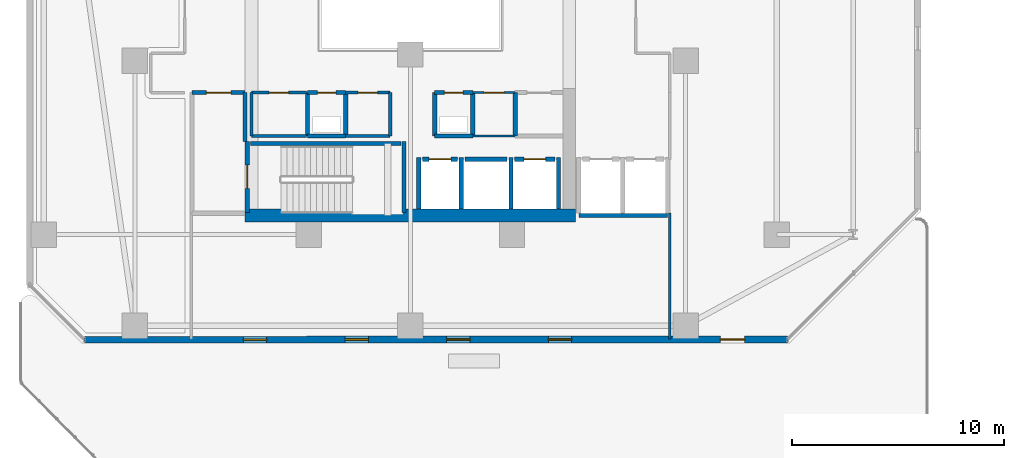
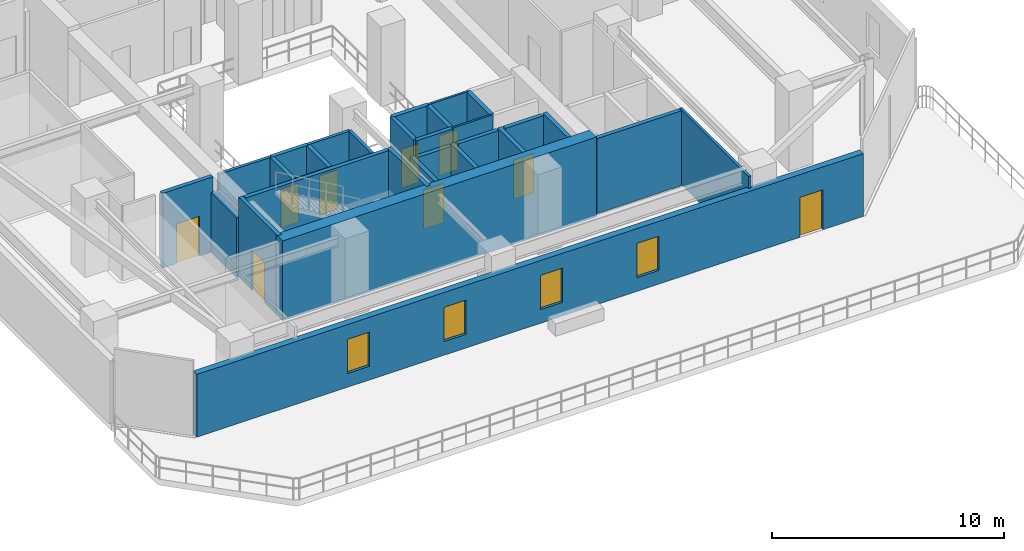
# One storey, part 16 of 30: 33 walls, 10 doors, 4 windows, 14 openings.
"""IFC4 building model written with IfcOpenShell, lengths in metres."""

from ifc_helpers import new_model, si_unit, direction, frame, frame_2d, origin, place, context, subcontext, project, spatial, rectangle, extrude, material, layer, layer_set, type_object, element, fill, save


model = new_model("IFC4")

# Units and contexts
model_context = context("Model", 3, precision=1e-05, world=origin(), true_north=direction((0.0, 1.0)))
body_context = subcontext(model_context, "Body", "Model", "MODEL_VIEW")
ifc_project = project(units=[si_unit("LENGTHUNIT", "METRE"), si_unit("AREAUNIT", "SQUARE_METRE"), si_unit("VOLUMEUNIT", "CUBIC_METRE"), si_unit("PLANEANGLEUNIT", "RADIAN"), si_unit("MASSUNIT", "GRAM", prefix="KILO")], contexts=[model_context])

# Site, building, storey
site_placement = place(None, origin())
site = spatial("IfcSite", under=ifc_project, at=site_placement, CompositionType="ELEMENT")
building_placement = place(site_placement, origin())
building = spatial("IfcBuilding", under=site, at=building_placement, Name="Thornwick Lancets Civic Towers", CompositionType="ELEMENT")
storey_placement = place(building_placement, frame((0.0, 0.0, 75.89990234375)))
storey = spatial("IfcBuildingStorey", under=building, at=storey_placement, Name="L19", CompositionType="ELEMENT", Elevation=75.89990234375)

# Wall, opening, door
ifc_material_1 = material(Name="Concrete blockwork C40/50", Category="masonry")
ifc_layer_1 = layer(ifc_material_1, 0.199951171875, Name="Concrete blockwork C40/50")
ifc_layer_set_1 = layer_set([ifc_layer_1], Name="Concrete blockwork C40/50")
wall_type_1 = type_object("IfcWallType", Name="WALL_COMP_200", PredefinedType="STANDARD", material=ifc_layer_set_1)
wall_1_placement = place(storey_placement, frame((26.080078125, 17.550048828125, 0.0), z_axis=(0.0, 0.0, 1.0), x_axis=(1.0, 0.0, 0.0)))
wall_1 = element("IfcWall", 1, at=wall_1_placement, inside=storey, type_object=wall_type_1, Name="L19 Hoistway Front Wall FL-A1", PredefinedType="STANDARD", context=body_context, shape_type="SweptSolid", body=[
    extrude(rectangle(XDim=1.639892578125, YDim=0.199951171875, at=frame_2d((0.81982421875, 0.0))), origin(), (0.0, 0.0, 1.0), 3.940185546875),
])
opening_1_placement = place(wall_1_placement, frame((0.31005859375, 0.0, 0.0)))
opening_1 = element("IfcOpeningElement", 2, at=opening_1_placement, cuts=wall_1, Name="Opening LD-FL-A1", PredefinedType="OPENING", context=body_context, shape_type="SweptSolid", body=[
    extrude(rectangle(XDim=1.02001953125, YDim=2.06005859375, at=frame_2d((0.510009765625, 1.030029296875))), frame((0.0, 0.10986328125, 0.0), z_axis=(0.0, -1.0, 0.0), x_axis=(1.0, 0.0, 0.0)), (0.0, 0.0, 1.0), 0.219970703125),
])
ifc_material_2 = material(Name="Brushed bronze stainless steel", Category="steel")
door_type_1 = type_object("IfcDoorType", Name="DOOR_LIFT_SLIDE", OperationType="SLIDING_TO_LEFT", PredefinedType="DOOR", material=ifc_material_2)
door_1_placement = place(opening_1_placement, origin())
door_1 = element("IfcDoor", 3, at=door_1_placement, inside=storey, type_object=door_type_1, Name="L19 Sliding Lift Landing Door LD-FL-A1", OperationType="SLIDING_TO_LEFT", OverallHeight=2.06005859375, OverallWidth=1.02001953125, PredefinedType="DOOR", context=body_context, shape_type="SweptSolid", body=[
    extrude(rectangle(XDim=1.02001953125, YDim=2.06005859375, at=frame_2d((0.510009765625, 1.030029296875))), frame((0.0, 0.02490234375, 0.0), z_axis=(0.0, -1.0, 0.0), x_axis=(1.0, 0.0, 0.0)), (0.0, 0.0, 1.0), 0.050048828125),
])
fill(opening_1, door_1)

# Wall
wall_2_placement = place(storey_placement, frame((28.080078125, 17.550048828125, 0.0), z_axis=(0.0, 0.0, 1.0), x_axis=(1.0, 0.0, 0.0)))
element("IfcWall", 4, at=wall_2_placement, inside=storey, type_object=wall_type_1, Name="L19 Hoistway Front Wall PL-AH1", PredefinedType="STANDARD", context=body_context, shape_type="SweptSolid", body=[
    extrude(rectangle(XDim=1.989990234375, YDim=0.199951171875, at=frame_2d((0.9951171875, 0.0))), origin(), (0.0, 0.0, 1.0), 3.940185546875),
])

# Wall, opening, door
wall_3_placement = place(storey_placement, frame((30.429931640625, 17.550048828125, 0.0), z_axis=(0.0, 0.0, 1.0), x_axis=(1.0, 0.0, 0.0)))
wall_3 = element("IfcWall", 5, at=wall_3_placement, inside=storey, type_object=wall_type_1, Name="L19 Hoistway Front Wall PL-AL1", PredefinedType="STANDARD", context=body_context, shape_type="SweptSolid", body=[
    extrude(rectangle(XDim=1.89013671875, YDim=0.199951171875, at=frame_2d((0.945068359375, 0.0))), origin(), (0.0, 0.0, 1.0), 3.940185546875),
])
opening_2_placement = place(wall_3_placement, frame((0.43505859375, 0.0, 0.0)))
opening_2 = element("IfcOpeningElement", 6, at=opening_2_placement, cuts=wall_3, Name="Opening LD-PL-AL1", PredefinedType="OPENING", context=body_context, shape_type="SweptSolid", body=[
    extrude(rectangle(XDim=1.02001953125, YDim=2.06005859375, at=frame_2d((0.510009765625, 1.030029296875))), frame((0.0, 0.10986328125, 0.0), z_axis=(0.0, -1.0, 0.0), x_axis=(1.0, 0.0, 0.0)), (0.0, 0.0, 1.0), 0.219970703125),
])
door_2_placement = place(opening_2_placement, origin())
door_2 = element("IfcDoor", 7, at=door_2_placement, inside=storey, type_object=door_type_1, Name="L19 Sliding Lift Landing Door LD-PL-AL1", OperationType="SLIDING_TO_LEFT", OverallHeight=2.06005859375, OverallWidth=1.02001953125, PredefinedType="DOOR", context=body_context, shape_type="SweptSolid", body=[
    extrude(rectangle(XDim=1.02001953125, YDim=2.06005859375, at=frame_2d((0.510009765625, 1.030029296875))), frame((0.0, 0.02490234375, 0.0), z_axis=(0.0, -1.0, 0.0), x_axis=(1.0, 0.0, 0.0)), (0.0, 0.0, 1.0), 0.050048828125),
])
fill(opening_2, door_2)

# Walls
for number, where, z_axis, x_axis, name in (
    (8, (27.89990234375, 15.2119140625, 0.0), (0.0, 0.0, 1.0), (0.0, 1.0, 0.0), "L19 Hoistway Shaft Wall FL-A1 E"),
    (9, (25.89990234375, 15.2119140625, 0.0), (0.0, 0.0, 1.0), (0.0, 1.0, 0.0), "L19 Hoistway Shaft Wall FL-A1 W"),
    (10, (30.25, 15.2119140625, 0.0), (0.0, 0.0, 1.0), (0.0, 1.0, 0.0), "L19 Hoistway Shaft Wall PL-AH1 E"),
    (11, (32.5, 15.2119140625, 0.0), (0.0, 0.0, 1.0), (0.0, 1.0, 0.0), "L19 Hoistway Shaft Wall PL-AL1 E"),
):
    element("IfcWall", number, at=place(storey_placement, frame(where, z_axis=z_axis, x_axis=x_axis)), inside=storey, type_object=wall_type_1, Name=name, PredefinedType="STANDARD", context=body_context, shape_type="SweptSolid", body=[
        extrude(rectangle(XDim=2.43603515625, YDim=0.199951171875, at=frame_2d((1.218017578125, 0.0))), origin(), (0.0, 0.0, 1.0), 3.940185546875),
    ])
wall_4_placement = place(storey_placement, frame((33.451904296875, 14.89990234375, 0.0), z_axis=(0.0, 0.0, 1.0), x_axis=(1.0, 0.0, 0.0)))
element("IfcWall", 12, at=wall_4_placement, inside=storey, type_object=wall_type_1, Name="L19 Hoistway Shaft Wall PL-AL2 S", PredefinedType="STANDARD", context=body_context, shape_type="SweptSolid", body=[
    extrude(rectangle(XDim=4.196044921875, YDim=0.199951171875, at=frame_2d((2.09814453125, 0.0))), origin(), (0.0, 0.0, 1.0), 3.940185546875),
])
wall_5_placement = place(storey_placement, frame((17.699951171875, 18.39990234375, 0.0), z_axis=(0.0, 0.0, 1.0), x_axis=(0.0, 1.0, 0.0)))
element("IfcWall", 13, at=wall_5_placement, inside=storey, type_object=wall_type_1, Name="L19 Partition L19-A-FFLOB1 E2", PredefinedType="STANDARD", context=body_context, shape_type="SweptSolid", body=[
    extrude(rectangle(XDim=2.300048828125, YDim=0.199951171875, at=frame_2d((1.14990234375, 0.0))), origin(), (0.0, 0.0, 1.0), 3.14501953125),
])

# Wall, opening, door
wall_6_placement = place(storey_placement, frame((17.699951171875, 20.699951171875, 0.0), z_axis=(0.0, 0.0, 1.0), x_axis=(-1.0, 0.0, 0.0)))
wall_6 = element("IfcWall", 14, at=wall_6_placement, inside=storey, type_object=wall_type_1, Name="L19 Partition L19-A-FFLOB1 E3", PredefinedType="STANDARD", context=body_context, shape_type="SweptSolid", body=[
    extrude(rectangle(XDim=2.5, YDim=0.199951171875, at=frame_2d((1.25, 0.0))), origin(), (0.0, 0.0, 1.0), 3.940185546875),
])
opening_3_placement = place(wall_6_placement, frame((0.675048828125, 0.0, 0.0)))
opening_3 = element("IfcOpeningElement", 15, at=opening_3_placement, cuts=wall_6, Name="Opening D-L19-0891", PredefinedType="OPENING", context=body_context, shape_type="SweptSolid", body=[
    extrude(rectangle(XDim=1.14990234375, YDim=2.10009765625, at=frame_2d((0.574951171875, 1.050048828125))), frame((0.0, 0.10986328125, 0.0), z_axis=(0.0, -1.0, 0.0), x_axis=(1.0, 0.0, 0.0)), (0.0, 0.0, 1.0), 0.219970703125),
])
ifc_material_3 = material(Name="Glazed fire-resisting steel", Category="steel")
door_type_2 = type_object("IfcDoorType", Name="DOOR_LOBBY_FD60", OperationType="NOTDEFINED", PredefinedType="DOOR", material=ifc_material_3)
door_3_placement = place(opening_3_placement, origin())
door_3 = element("IfcDoor", 16, at=door_3_placement, inside=storey, type_object=door_type_2, Name="L19 South Firefighting Lobby 1 Door", OperationType="SINGLE_SWING_RIGHT", OverallHeight=2.10009765625, OverallWidth=1.14990234375, PredefinedType="DOOR", context=body_context, shape_type="SweptSolid", body=[
    extrude(rectangle(XDim=1.14990234375, YDim=2.10009765625, at=frame_2d((0.574951171875, 1.050048828125))), frame((0.0, 0.02490234375, 0.0), z_axis=(0.0, -1.0, 0.0), x_axis=(1.0, 0.0, 0.0)), (0.0, 0.0, 1.0), 0.050048828125),
])
fill(opening_3, door_3)

# Walls
wall_7_placement = place(storey_placement, frame((26.64990234375, 18.64990234375, 0.0), z_axis=(0.0, 0.0, 1.0), x_axis=(1.0, 0.0, 0.0)))
element("IfcWall", 17, at=wall_7_placement, inside=storey, type_object=wall_type_1, Name="L19 Partition L19-A-DUCT1 E1", PredefinedType="STANDARD", context=body_context, shape_type="SweptSolid", body=[
    extrude(rectangle(XDim=1.800048828125, YDim=0.199951171875, at=frame_2d((0.89990234375, 0.0))), origin(), (0.0, 0.0, 1.0), 3.940185546875),
])
wall_8_placement = place(storey_placement, frame((28.449951171875, 18.64990234375, 0.0), z_axis=(0.0, 0.0, 1.0), x_axis=(0.0, 1.0, 0.0)))
element("IfcWall", 18, at=wall_8_placement, inside=storey, type_object=wall_type_1, Name="L19 Partition L19-A-DUCT1 E2", PredefinedType="STANDARD", context=body_context, shape_type="SweptSolid", body=[
    extrude(rectangle(XDim=2.050048828125, YDim=0.199951171875, at=frame_2d((1.02490234375, 0.0))), origin(), (0.0, 0.0, 1.0), 3.940185546875),
])

# Wall, opening, door
wall_9_placement = place(storey_placement, frame((28.449951171875, 20.699951171875, 0.0), z_axis=(0.0, 0.0, 1.0), x_axis=(-1.0, 0.0, 0.0)))
wall_9 = element("IfcWall", 19, at=wall_9_placement, inside=storey, type_object=wall_type_1, Name="L19 Partition L19-A-DUCT1 E3", PredefinedType="STANDARD", context=body_context, shape_type="SweptSolid", body=[
    extrude(rectangle(XDim=1.800048828125, YDim=0.199951171875, at=frame_2d((0.89990234375, 0.0))), origin(), (0.0, 0.0, 1.0), 3.940185546875),
])
opening_4_placement = place(wall_9_placement, frame((0.4599609375, 0.0, 0.0)))
opening_4 = element("IfcOpeningElement", 20, at=opening_4_placement, cuts=wall_9, Name="Opening D-L19-0893", PredefinedType="OPENING", context=body_context, shape_type="SweptSolid", body=[
    extrude(rectangle(XDim=0.8798828125, YDim=2.0400390625, at=frame_2d((0.43994140625, 1.02001953125))), frame((0.0, 0.10986328125, 0.0), z_axis=(0.0, -1.0, 0.0), x_axis=(1.0, 0.0, 0.0)), (0.0, 0.0, 1.0), 0.219970703125),
])
ifc_material_4 = material(Name="Steel riser access doorset", Category="steel")
door_type_3 = type_object("IfcDoorType", Name="DOOR_RISER_850", OperationType="NOTDEFINED", PredefinedType="DOOR", material=ifc_material_4)
door_4_placement = place(opening_4_placement, origin())
door_4 = element("IfcDoor", 21, at=door_4_placement, inside=storey, type_object=door_type_3, Name="L19 South Service Duct 1 Door", OperationType="SINGLE_SWING_RIGHT", OverallHeight=2.0400390625, OverallWidth=0.8798828125, PredefinedType="DOOR", context=body_context, shape_type="SweptSolid", body=[
    extrude(rectangle(XDim=0.8798828125, YDim=2.0400390625, at=frame_2d((0.43994140625, 1.02001953125))), frame((0.0, 0.02490234375, 0.0), z_axis=(0.0, -1.0, 0.0), x_axis=(1.0, 0.0, 0.0)), (0.0, 0.0, 1.0), 0.050048828125),
])
fill(opening_4, door_4)

# Walls
wall_10_placement = place(storey_placement, frame((26.64990234375, 20.699951171875, 0.0), z_axis=(0.0, 0.0, 1.0), x_axis=(0.0, -1.0, 0.0)))
element("IfcWall", 22, at=wall_10_placement, inside=storey, type_object=wall_type_1, Name="L19 Partition L19-A-DUCT1 E4", PredefinedType="STANDARD", context=body_context, shape_type="SweptSolid", body=[
    extrude(rectangle(XDim=2.050048828125, YDim=0.199951171875, at=frame_2d((1.02490234375, 0.0))), origin(), (0.0, 0.0, 1.0), 3.940185546875),
])
wall_11_placement = place(storey_placement, frame((20.64990234375, 18.64990234375, 0.0), z_axis=(0.0, 0.0, 1.0), x_axis=(1.0, 0.0, 0.0)))
element("IfcWall", 23, at=wall_11_placement, inside=storey, type_object=wall_type_1, Name="L19 Partition L19-A-RISER1 E1", PredefinedType="STANDARD", context=body_context, shape_type="SweptSolid", body=[
    extrude(rectangle(XDim=1.800048828125, YDim=0.199951171875, at=frame_2d((0.89990234375, 0.0))), origin(), (0.0, 0.0, 1.0), 3.940185546875),
])
wall_12_placement = place(storey_placement, frame((22.449951171875, 18.64990234375, 0.0), z_axis=(0.0, 0.0, 1.0), x_axis=(0.0, 1.0, 0.0)))
element("IfcWall", 24, at=wall_12_placement, inside=storey, type_object=wall_type_1, Name="L19 Partition L19-A-RISER1 E2", PredefinedType="STANDARD", context=body_context, shape_type="SweptSolid", body=[
    extrude(rectangle(XDim=2.050048828125, YDim=0.199951171875, at=frame_2d((1.02490234375, 0.0))), origin(), (0.0, 0.0, 1.0), 3.940185546875),
])

# Wall, opening, door
wall_13_placement = place(storey_placement, frame((22.449951171875, 20.699951171875, 0.0), z_axis=(0.0, 0.0, 1.0), x_axis=(-1.0, 0.0, 0.0)))
wall_13 = element("IfcWall", 25, at=wall_13_placement, inside=storey, type_object=wall_type_1, Name="L19 Partition L19-A-RISER1 E3", PredefinedType="STANDARD", context=body_context, shape_type="SweptSolid", body=[
    extrude(rectangle(XDim=1.800048828125, YDim=0.199951171875, at=frame_2d((0.89990234375, 0.0))), origin(), (0.0, 0.0, 1.0), 3.940185546875),
])
opening_5_placement = place(wall_13_placement, frame((0.4599609375, 0.0, 0.0)))
opening_5 = element("IfcOpeningElement", 26, at=opening_5_placement, cuts=wall_13, Name="Opening D-L19-0894", PredefinedType="OPENING", context=body_context, shape_type="SweptSolid", body=[
    extrude(rectangle(XDim=0.8798828125, YDim=2.0400390625, at=frame_2d((0.43994140625, 1.02001953125))), frame((0.0, 0.10986328125, 0.0), z_axis=(0.0, -1.0, 0.0), x_axis=(1.0, 0.0, 0.0)), (0.0, 0.0, 1.0), 0.219970703125),
])
door_5_placement = place(opening_5_placement, origin())
door_5 = element("IfcDoor", 27, at=door_5_placement, inside=storey, type_object=door_type_3, Name="L19 South Electrical Riser 1 Door", OperationType="SINGLE_SWING_LEFT", OverallHeight=2.0400390625, OverallWidth=0.8798828125, PredefinedType="DOOR", context=body_context, shape_type="SweptSolid", body=[
    extrude(rectangle(XDim=0.8798828125, YDim=2.0400390625, at=frame_2d((0.43994140625, 1.02001953125))), frame((0.0, 0.02490234375, 0.0), z_axis=(0.0, -1.0, 0.0), x_axis=(1.0, 0.0, 0.0)), (0.0, 0.0, 1.0), 0.050048828125),
])
fill(opening_5, door_5)

# Walls
for number, where, z_axis, x_axis, name in (
    (28, (20.64990234375, 20.699951171875, 0.0), (0.0, 0.0, 1.0), (0.0, -1.0, 0.0), "L19 Partition L19-A-RISER1 E4"),
    (29, (30.449951171875, 18.64990234375, 0.0), (0.0, 0.0, 1.0), (0.0, 1.0, 0.0), "L19 Partition L19-A-ITR2 E3"),
):
    element("IfcWall", number, at=place(storey_placement, frame(where, z_axis=z_axis, x_axis=x_axis)), inside=storey, type_object=wall_type_1, Name=name, PredefinedType="STANDARD", context=body_context, shape_type="SweptSolid", body=[
        extrude(rectangle(XDim=2.050048828125, YDim=0.199951171875, at=frame_2d((1.02490234375, 0.0))), origin(), (0.0, 0.0, 1.0), 3.940185546875),
    ])
ifc_material_5 = material(Name="Concrete C60/75", Category="concrete")
ifc_layer_2 = layer(ifc_material_5, 0.60009765625, Name="Concrete C60/75")
ifc_layer_set_2 = layer_set([ifc_layer_2], Name="Concrete C60/75")
wall_type_2 = type_object("IfcWallType", Name="WALL_CORE_600", PredefinedType="SHEAR", material=ifc_layer_set_2)
wall_14_placement = place(storey_placement, frame((17.699951171875, 14.89990234375, 0.0), z_axis=(0.0, 0.0, 1.0), x_axis=(1.0, 0.0, 0.0)))
element("IfcWall", 30, at=wall_14_placement, inside=storey, type_object=wall_type_2, Name="L19 Split Core A1 Shear Wall S", PredefinedType="SHEAR", context=body_context, shape_type="SweptSolid", body=[
    extrude(rectangle(XDim=15.60009765625, YDim=0.60009765625, at=frame_2d((7.800048828125, 0.0))), origin(), (0.0, 0.0, 1.0), 4.2001953125),
])

# Wall, openings, door, windows
ifc_material_6 = material(Name="Insulated buff terracotta rainscreen on concrete C40/50", Category="masonry")
ifc_layer_3 = layer(ifc_material_6, 0.320068359375, Name="Insulated buff terracotta rainscreen on concrete C40/50")
ifc_layer_set_3 = layer_set([ifc_layer_3], Name="Insulated buff terracotta rainscreen on concrete C40/50")
wall_type_3 = type_object("IfcWallType", Name="WALL_EXT_TERRA_320", PredefinedType="STANDARD", material=ifc_layer_set_3)
wall_15_placement = place(storey_placement, frame((10.11865234375, 9.035400390625, 0.0), z_axis=(0.0, 0.0, 1.0), x_axis=(0.99999993762, 0.000353213856, 0.0)))
wall_15 = element("IfcWall", 31, at=wall_15_placement, inside=storey, type_object=wall_type_3, Name="L19 Tower A Terracotta Facade Wall E0", PredefinedType="STANDARD", context=body_context, shape_type="SweptSolid", body=[
    extrude(rectangle(XDim=33.177490234375, YDim=0.320068359375, at=frame_2d((16.5888671875, 0.0))), origin(), (0.0, 0.0, 1.0), 3.300048828125),
])
opening_6_placement = place(wall_15_placement, frame((30.013916015625, 0.0, 0.0)))
opening_6 = element("IfcOpeningElement", 32, at=opening_6_placement, cuts=wall_15, Name="Opening D-SG-L19-A0", PredefinedType="OPENING", context=body_context, shape_type="SweptSolid", body=[
    extrude(rectangle(XDim=1.14990234375, YDim=2.10009765625, at=frame_2d((0.574951171875, 1.050048828125))), frame((0.0, 0.169921875, 0.0), z_axis=(0.0, -1.0, 0.0), x_axis=(1.0, 0.0, 0.0)), (0.0, 0.0, 1.0), 0.340087890625),
])
opening_7_placement = place(wall_15_placement, frame((7.5, 0.0, 0.719970703125)))
opening_7 = element("IfcOpeningElement", 33, at=opening_7_placement, cuts=wall_15, Name="Opening WL-02", PredefinedType="OPENING", context=body_context, shape_type="SweptSolid", body=[
    extrude(rectangle(XDim=1.10009765625, YDim=1.800048828125, at=frame_2d((0.550048828125, 0.89990234375))), frame((0.0, 0.169921875, 0.0), z_axis=(0.0, -1.0, 0.0), x_axis=(1.0, 0.0, 0.0)), (0.0, 0.0, 1.0), 0.340087890625),
])
opening_8_placement = place(wall_15_placement, frame((12.300048828125, 0.0, 0.719970703125)))
opening_8 = element("IfcOpeningElement", 34, at=opening_8_placement, cuts=wall_15, Name="Opening WL-02", PredefinedType="OPENING", context=body_context, shape_type="SweptSolid", body=[
    extrude(rectangle(XDim=1.10009765625, YDim=1.800048828125, at=frame_2d((0.550048828125, 0.89990234375))), frame((0.0, 0.169921875, 0.0), z_axis=(0.0, -1.0, 0.0), x_axis=(1.0, 0.0, 0.0)), (0.0, 0.0, 1.0), 0.340087890625),
])
opening_9_placement = place(wall_15_placement, frame((17.10009765625, 0.0, 0.719970703125)))
opening_9 = element("IfcOpeningElement", 35, at=opening_9_placement, cuts=wall_15, Name="Opening WL-02", PredefinedType="OPENING", context=body_context, shape_type="SweptSolid", body=[
    extrude(rectangle(XDim=1.10009765625, YDim=1.800048828125, at=frame_2d((0.550048828125, 0.89990234375))), frame((0.0, 0.169921875, 0.0), z_axis=(0.0, -1.0, 0.0), x_axis=(1.0, 0.0, 0.0)), (0.0, 0.0, 1.0), 0.340087890625),
])
opening_10_placement = place(wall_15_placement, frame((21.89990234375, 0.0, 0.719970703125)))
opening_10 = element("IfcOpeningElement", 36, at=opening_10_placement, cuts=wall_15, Name="Opening WL-02", PredefinedType="OPENING", context=body_context, shape_type="SweptSolid", body=[
    extrude(rectangle(XDim=1.10009765625, YDim=1.800048828125, at=frame_2d((0.550048828125, 0.89990234375))), frame((0.0, 0.169921875, 0.0), z_axis=(0.0, -1.0, 0.0), x_axis=(1.0, 0.0, 0.0)), (0.0, 0.0, 1.0), 0.340087890625),
])
ifc_material_7 = material(Name="Thermally broken glazed terrace doorset")
door_type_4 = type_object("IfcDoorType", Name="DOOR_TERRACE_1200", OperationType="NOTDEFINED", PredefinedType="DOOR", material=ifc_material_7)
door_6_placement = place(opening_6_placement, origin())
door_6 = element("IfcDoor", 37, at=door_6_placement, inside=storey, type_object=door_type_4, Name="L19 Tower A Sky-Garden Terrace Door", OperationType="SINGLE_SWING_RIGHT", OverallHeight=2.10009765625, OverallWidth=1.14990234375, PredefinedType="DOOR", context=body_context, shape_type="SweptSolid", body=[
    extrude(rectangle(XDim=1.14990234375, YDim=2.10009765625, at=frame_2d((0.574951171875, 1.050048828125))), frame((0.0, 0.02490234375, 0.0), z_axis=(0.0, -1.0, 0.0), x_axis=(1.0, 0.0, 0.0)), (0.0, 0.0, 1.0), 0.050048828125),
])
fill(opening_6, door_6)
ifc_material_8 = material(Name="Clear low-e double glazing in bronze frame", Category="glass")
window_type = type_object("IfcWindowType", Name="WIN_LANCET_1100", PartitioningType="SINGLE_PANEL", PredefinedType="WINDOW", material=ifc_material_8)
window_1_placement = place(opening_7_placement, origin())
window_1 = element("IfcWindow", 38, at=window_1_placement, inside=storey, type_object=window_type, Name="L19 Tower A Staggered Lancet Window E0-1", OverallHeight=1.800048828125, OverallWidth=1.10009765625, PartitioningType="SINGLE_PANEL", PredefinedType="WINDOW", context=body_context, shape_type="SweptSolid", body=[
    extrude(rectangle(XDim=1.10009765625, YDim=1.800048828125, at=frame_2d((0.550048828125, 0.89990234375))), frame((0.0, 0.030029296875, 0.0), z_axis=(0.0, -1.0, 0.0), x_axis=(1.0, 0.0, 0.0)), (0.0, 0.0, 1.0), 0.06005859375),
])
fill(opening_7, window_1)
window_2_placement = place(opening_8_placement, origin())
window_2 = element("IfcWindow", 39, at=window_2_placement, inside=storey, type_object=window_type, Name="L19 Tower A Staggered Lancet Window E0-2", OverallHeight=1.800048828125, OverallWidth=1.10009765625, PartitioningType="SINGLE_PANEL", PredefinedType="WINDOW", context=body_context, shape_type="SweptSolid", body=[
    extrude(rectangle(XDim=1.10009765625, YDim=1.800048828125, at=frame_2d((0.550048828125, 0.89990234375))), frame((0.0, 0.030029296875, 0.0), z_axis=(0.0, -1.0, 0.0), x_axis=(1.0, 0.0, 0.0)), (0.0, 0.0, 1.0), 0.06005859375),
])
fill(opening_8, window_2)
window_3_placement = place(opening_9_placement, origin())
window_3 = element("IfcWindow", 40, at=window_3_placement, inside=storey, type_object=window_type, Name="L19 Tower A Staggered Lancet Window E0-3", OverallHeight=1.800048828125, OverallWidth=1.10009765625, PartitioningType="SINGLE_PANEL", PredefinedType="WINDOW", context=body_context, shape_type="SweptSolid", body=[
    extrude(rectangle(XDim=1.10009765625, YDim=1.800048828125, at=frame_2d((0.550048828125, 0.89990234375))), frame((0.0, 0.030029296875, 0.0), z_axis=(0.0, -1.0, 0.0), x_axis=(1.0, 0.0, 0.0)), (0.0, 0.0, 1.0), 0.06005859375),
])
fill(opening_9, window_3)
window_4_placement = place(opening_10_placement, origin())
window_4 = element("IfcWindow", 41, at=window_4_placement, inside=storey, type_object=window_type, Name="L19 Tower A Staggered Lancet Window E0-4", OverallHeight=1.800048828125, OverallWidth=1.10009765625, PartitioningType="SINGLE_PANEL", PredefinedType="WINDOW", context=body_context, shape_type="SweptSolid", body=[
    extrude(rectangle(XDim=1.10009765625, YDim=1.800048828125, at=frame_2d((0.550048828125, 0.89990234375))), frame((0.0, 0.030029296875, 0.0), z_axis=(0.0, -1.0, 0.0), x_axis=(1.0, 0.0, 0.0)), (0.0, 0.0, 1.0), 0.06005859375),
])
fill(opening_10, window_4)

# Wall
ifc_material_9 = material(Name="Lightweight cellular office partition")
ifc_layer_4 = layer(ifc_material_9, 0.10009765625, Name="Lightweight cellular office partition")
ifc_layer_set_4 = layer_set([ifc_layer_4], Name="Lightweight cellular office partition")
wall_type_4 = type_object("IfcWallType", Name="WALL_PART_100", PredefinedType="PARTITIONING", material=ifc_layer_set_4)
wall_16_placement = place(storey_placement, frame((30.449951171875, 18.64990234375, 0.0), z_axis=(0.0, 0.0, 1.0), x_axis=(-1.0, 0.0, 0.0)))
element("IfcWall", 42, at=wall_16_placement, inside=storey, type_object=wall_type_4, Name="L19 Partition L19-A-CLN E2", PredefinedType="PARTITIONING", context=body_context, shape_type="SweptSolid", body=[
    extrude(rectangle(XDim=2.0, YDim=0.10009765625, at=frame_2d((1.0, 0.0))), origin(), (0.0, 0.0, 1.0), 3.940185546875),
])

# Wall, opening, door
wall_17_placement = place(storey_placement, frame((28.449951171875, 20.699951171875, 0.0), z_axis=(0.0, 0.0, 1.0), x_axis=(1.0, 0.0, 0.0)))
wall_17 = element("IfcWall", 43, at=wall_17_placement, inside=storey, type_object=wall_type_4, Name="L19 Partition L19-A-CLN E4", PredefinedType="PARTITIONING", context=body_context, shape_type="SweptSolid", body=[
    extrude(rectangle(XDim=2.0, YDim=0.10009765625, at=frame_2d((1.0, 0.0))), origin(), (0.0, 0.0, 1.0), 3.940185546875),
])
opening_11_placement = place(wall_17_placement, frame((0.52490234375, 0.0, 0.0)))
opening_11 = element("IfcOpeningElement", 44, at=opening_11_placement, cuts=wall_17, Name="Opening D-L19-0899", PredefinedType="OPENING", context=body_context, shape_type="SweptSolid", body=[
    extrude(rectangle(XDim=0.949951171875, YDim=2.10009765625, at=frame_2d((0.47509765625, 1.050048828125))), frame((0.0, 0.06005859375, 0.0), z_axis=(0.0, -1.0, 0.0), x_axis=(1.0, 0.0, 0.0)), (0.0, 0.0, 1.0), 0.1201171875),
])
ifc_material_10 = material(Name="European oak acoustic doorset")
door_type_5 = type_object("IfcDoorType", Name="DOOR_OFFICE_950", OperationType="NOTDEFINED", PredefinedType="DOOR", material=ifc_material_10)
door_7_placement = place(opening_11_placement, origin())
door_7 = element("IfcDoor", 45, at=door_7_placement, inside=storey, type_object=door_type_5, Name="L19 Tower A Cleaners Store Door", OperationType="SINGLE_SWING_RIGHT", OverallHeight=2.10009765625, OverallWidth=0.949951171875, PredefinedType="DOOR", context=body_context, shape_type="SweptSolid", body=[
    extrude(rectangle(XDim=0.949951171875, YDim=2.10009765625, at=frame_2d((0.47509765625, 1.050048828125))), frame((0.0, 0.02490234375, 0.0), z_axis=(0.0, -1.0, 0.0), x_axis=(1.0, 0.0, 0.0)), (0.0, 0.0, 1.0), 0.050048828125),
])
fill(opening_11, door_7)

# Walls
ifc_material_11 = material(Name="Acoustic gypsum board partition")
ifc_layer_5 = layer(ifc_material_11, 0.1201171875, Name="Acoustic gypsum board partition")
ifc_layer_set_5 = layer_set([ifc_layer_5], Name="Acoustic gypsum board partition")
wall_type_5 = type_object("IfcWallType", Name="WALL_PART_120", PredefinedType="PARTITIONING", material=ifc_layer_set_5)
wall_18_placement = place(storey_placement, frame((37.75, 9.080078125, 0.0), z_axis=(0.0, 0.0, 1.0), x_axis=(0.0, 1.0, 0.0)))
element("IfcWall", 46, at=wall_18_placement, inside=storey, type_object=wall_type_5, Name="L19 Partition L19-A-E1 E9", PredefinedType="PARTITIONING", context=body_context, shape_type="SweptSolid", body=[
    extrude(rectangle(XDim=5.931884765625, YDim=0.1201171875, at=frame_2d((2.9658203125, 0.0))), origin(), (0.0, 0.0, 1.0), 3.940185546875),
])
ifc_material_12 = material(Name="Twin-stud acoustic gypsum board")
ifc_layer_6 = layer(ifc_material_12, 0.14990234375, Name="Twin-stud acoustic gypsum board")
ifc_layer_set_6 = layer_set([ifc_layer_6], Name="Twin-stud acoustic gypsum board")
wall_type_6 = type_object("IfcWallType", Name="WALL_PART_150", PredefinedType="PARTITIONING", material=ifc_layer_set_6)
wall_19_placement = place(storey_placement, frame((18.0, 18.64990234375, 0.0), z_axis=(0.0, 0.0, 1.0), x_axis=(1.0, 0.0, 0.0)))
element("IfcWall", 47, at=wall_19_placement, inside=storey, type_object=wall_type_6, Name="L19 Partition L19-A-MWC E1", PredefinedType="PARTITIONING", context=body_context, shape_type="SweptSolid", body=[
    extrude(rectangle(XDim=2.60009765625, YDim=0.14990234375, at=frame_2d((1.300048828125, 0.0))), origin(), (0.0, 0.0, 1.0), 3.940185546875),
])

# Wall, opening, door
wall_20_placement = place(storey_placement, frame((20.60009765625, 20.699951171875, 0.0), z_axis=(0.0, 0.0, 1.0), x_axis=(-1.0, 0.0, 0.0)))
wall_20 = element("IfcWall", 48, at=wall_20_placement, inside=storey, type_object=wall_type_6, Name="L19 Partition L19-A-MWC E3", PredefinedType="PARTITIONING", context=body_context, shape_type="SweptSolid", body=[
    extrude(rectangle(XDim=2.60009765625, YDim=0.14990234375, at=frame_2d((1.300048828125, 0.0))), origin(), (0.0, 0.0, 1.0), 3.940185546875),
])
opening_12_placement = place(wall_20_placement, frame((0.840087890625, 0.0, 0.0)))
opening_12 = element("IfcOpeningElement", 49, at=opening_12_placement, cuts=wall_20, Name="Opening D-L19-0897", PredefinedType="OPENING", context=body_context, shape_type="SweptSolid", body=[
    extrude(rectangle(XDim=0.919921875, YDim=2.080078125, at=frame_2d((0.4599609375, 1.0400390625))), frame((0.0, 0.0849609375, 0.0), z_axis=(0.0, -1.0, 0.0), x_axis=(1.0, 0.0, 0.0)), (0.0, 0.0, 1.0), 0.169921875),
])
ifc_material_13 = material(Name="Moisture-resistant oak doorset")
door_type_6 = type_object("IfcDoorType", Name="DOOR_WC_900", OperationType="NOTDEFINED", PredefinedType="DOOR", material=ifc_material_13)
door_8_placement = place(opening_12_placement, origin())
door_8 = element("IfcDoor", 50, at=door_8_placement, inside=storey, type_object=door_type_6, Name="L19 Tower A Male WC Door", OperationType="SINGLE_SWING_RIGHT", OverallHeight=2.080078125, OverallWidth=0.919921875, PredefinedType="DOOR", context=body_context, shape_type="SweptSolid", body=[
    extrude(rectangle(XDim=0.919921875, YDim=2.080078125, at=frame_2d((0.4599609375, 1.0400390625))), frame((0.0, 0.02490234375, 0.0), z_axis=(0.0, -1.0, 0.0), x_axis=(1.0, 0.0, 0.0)), (0.0, 0.0, 1.0), 0.050048828125),
])
fill(opening_12, door_8)

# Walls
wall_21_placement = place(storey_placement, frame((18.0, 20.699951171875, 0.0), z_axis=(0.0, 0.0, 1.0), x_axis=(0.0, -1.0, 0.0)))
element("IfcWall", 51, at=wall_21_placement, inside=storey, type_object=wall_type_6, Name="L19 Partition L19-A-MWC E4", PredefinedType="PARTITIONING", context=body_context, shape_type="SweptSolid", body=[
    extrude(rectangle(XDim=2.050048828125, YDim=0.14990234375, at=frame_2d((1.02490234375, 0.0))), origin(), (0.0, 0.0, 1.0), 3.14501953125),
])
wall_22_placement = place(storey_placement, frame((24.550048828125, 20.699951171875, 0.0), z_axis=(0.0, 0.0, 1.0), x_axis=(0.0, -1.0, 0.0)))
element("IfcWall", 52, at=wall_22_placement, inside=storey, type_object=wall_type_6, Name="L19 Partition L19-A-AWC E1", PredefinedType="PARTITIONING", context=body_context, shape_type="SweptSolid", body=[
    extrude(rectangle(XDim=2.050048828125, YDim=0.14990234375, at=frame_2d((1.02490234375, 0.0))), origin(), (0.0, 0.0, 1.0), 3.940185546875),
])
wall_23_placement = place(storey_placement, frame((24.550048828125, 18.64990234375, 0.0), z_axis=(0.0, 0.0, 1.0), x_axis=(-1.0, 0.0, 0.0)))
element("IfcWall", 53, at=wall_23_placement, inside=storey, type_object=wall_type_6, Name="L19 Partition L19-A-AWC E2", PredefinedType="PARTITIONING", context=body_context, shape_type="SweptSolid", body=[
    extrude(rectangle(XDim=2.10009765625, YDim=0.14990234375, at=frame_2d((1.050048828125, 0.0))), origin(), (0.0, 0.0, 1.0), 3.940185546875),
])

# Wall, opening, door
wall_24_placement = place(storey_placement, frame((22.449951171875, 20.699951171875, 0.0), z_axis=(0.0, 0.0, 1.0), x_axis=(1.0, 0.0, 0.0)))
wall_24 = element("IfcWall", 54, at=wall_24_placement, inside=storey, type_object=wall_type_6, Name="L19 Partition L19-A-AWC E4", PredefinedType="PARTITIONING", context=body_context, shape_type="SweptSolid", body=[
    extrude(rectangle(XDim=2.10009765625, YDim=0.14990234375, at=frame_2d((1.050048828125, 0.0))), origin(), (0.0, 0.0, 1.0), 3.940185546875),
])
opening_13_placement = place(wall_24_placement, frame((0.590087890625, 0.0, 0.0)))
opening_13 = element("IfcOpeningElement", 55, at=opening_13_placement, cuts=wall_24, Name="Opening D-L19-0898", PredefinedType="OPENING", context=body_context, shape_type="SweptSolid", body=[
    extrude(rectangle(XDim=0.919921875, YDim=2.080078125, at=frame_2d((0.4599609375, 1.0400390625))), frame((0.0, 0.0849609375, 0.0), z_axis=(0.0, -1.0, 0.0), x_axis=(1.0, 0.0, 0.0)), (0.0, 0.0, 1.0), 0.169921875),
])
door_9_placement = place(opening_13_placement, origin())
door_9 = element("IfcDoor", 56, at=door_9_placement, inside=storey, type_object=door_type_6, Name="L19 Tower A Accessible WC Door", OperationType="SINGLE_SWING_LEFT", OverallHeight=2.080078125, OverallWidth=0.919921875, PredefinedType="DOOR", context=body_context, shape_type="SweptSolid", body=[
    extrude(rectangle(XDim=0.919921875, YDim=2.080078125, at=frame_2d((0.4599609375, 1.0400390625))), frame((0.0, 0.02490234375, 0.0), z_axis=(0.0, -1.0, 0.0), x_axis=(1.0, 0.0, 0.0)), (0.0, 0.0, 1.0), 0.050048828125),
])
fill(opening_13, door_9)

ifc_material_14 = material(Name="Concrete C40/50", Category="concrete")
ifc_layer_7 = layer(ifc_material_14, 0.199951171875, Name="Concrete C40/50")
ifc_layer_set_7 = layer_set([ifc_layer_7], Name="Concrete C40/50")
wall_type_7 = type_object("IfcWallType", Name="WALL_SHAFT_200", PredefinedType="SHEAR", material=ifc_layer_set_7)
wall_25_placement = place(storey_placement, frame((17.800048828125, 15.050048828125, 0.0), z_axis=(0.0, 0.0, 1.0), x_axis=(0.0, 1.0, 0.0)))
wall_25 = element("IfcWall", 57, at=wall_25_placement, inside=storey, type_object=wall_type_7, Name="L19 ST-A1 Fire Stair Core Wall NEAR", PredefinedType="SHEAR", context=body_context, shape_type="SweptSolid", body=[
    extrude(rectangle(XDim=3.349853515625, YDim=0.199951171875, at=frame_2d((1.6748046875, 0.0))), origin(), (0.0, 0.0, 1.0), 4.2001953125),
])
opening_14_placement = place(wall_25_placement, frame((1.125, 0.0, 0.0)))
opening_14 = element("IfcOpeningElement", 58, at=opening_14_placement, cuts=wall_25, Name="Opening D-ST-A1-L19", PredefinedType="OPENING", context=body_context, shape_type="SweptSolid", body=[
    extrude(rectangle(XDim=1.10009765625, YDim=2.10009765625, at=frame_2d((0.550048828125, 1.050048828125))), frame((0.0, 0.10986328125, 0.0), z_axis=(0.0, -1.0, 0.0), x_axis=(1.0, 0.0, 0.0)), (0.0, 0.0, 1.0), 0.219970703125),
])
ifc_material_15 = material(Name="Fire-resisting steel and hardwood", Category="steel")
door_type_7 = type_object("IfcDoorType", Name="DOOR_STAIR_FD60", OperationType="NOTDEFINED", PredefinedType="DOOR", material=ifc_material_15)
door_10_placement = place(opening_14_placement, origin())
door_10 = element("IfcDoor", 59, at=door_10_placement, inside=storey, type_object=door_type_7, Name="L19 ST-A1 Exit Stair Door", OperationType="SINGLE_SWING_RIGHT", OverallHeight=2.10009765625, OverallWidth=1.10009765625, PredefinedType="DOOR", context=body_context, shape_type="SweptSolid", body=[
    extrude(rectangle(XDim=1.10009765625, YDim=2.10009765625, at=frame_2d((0.550048828125, 1.050048828125))), frame((0.0, 0.02490234375, 0.0), z_axis=(0.0, -1.0, 0.0), x_axis=(1.0, 0.0, 0.0)), (0.0, 0.0, 1.0), 0.050048828125),
])
fill(opening_14, door_10)

# Walls
wall_26_placement = place(storey_placement, frame((25.199951171875, 18.39990234375, 0.0), z_axis=(0.0, 0.0, 1.0), x_axis=(0.0, -1.0, 0.0)))
element("IfcWall", 60, at=wall_26_placement, inside=storey, type_object=wall_type_7, Name="L19 ST-A1 Fire Stair Core Wall FAR", PredefinedType="SHEAR", context=body_context, shape_type="SweptSolid", body=[
    extrude(rectangle(XDim=3.349853515625, YDim=0.199951171875, at=frame_2d((1.6748046875, 0.0))), origin(), (0.0, 0.0, 1.0), 4.2001953125),
])
wall_27_placement = place(storey_placement, frame((25.050048828125, 18.297119140625, 0.0), z_axis=(0.0, 0.0, 1.0), x_axis=(-1.0, 0.0, 0.0)))
element("IfcWall", 61, at=wall_27_placement, inside=storey, type_object=wall_type_7, Name="L19 ST-A1 Fire Stair Core Wall RIGHT", PredefinedType="SHEAR", context=body_context, shape_type="SweptSolid", body=[
    extrude(rectangle(XDim=7.10009765625, YDim=0.199951171875, at=frame_2d((3.550048828125, 0.0))), origin(), (0.0, 0.0, 1.0), 4.2001953125),
])

save(model, "model.ifc")
